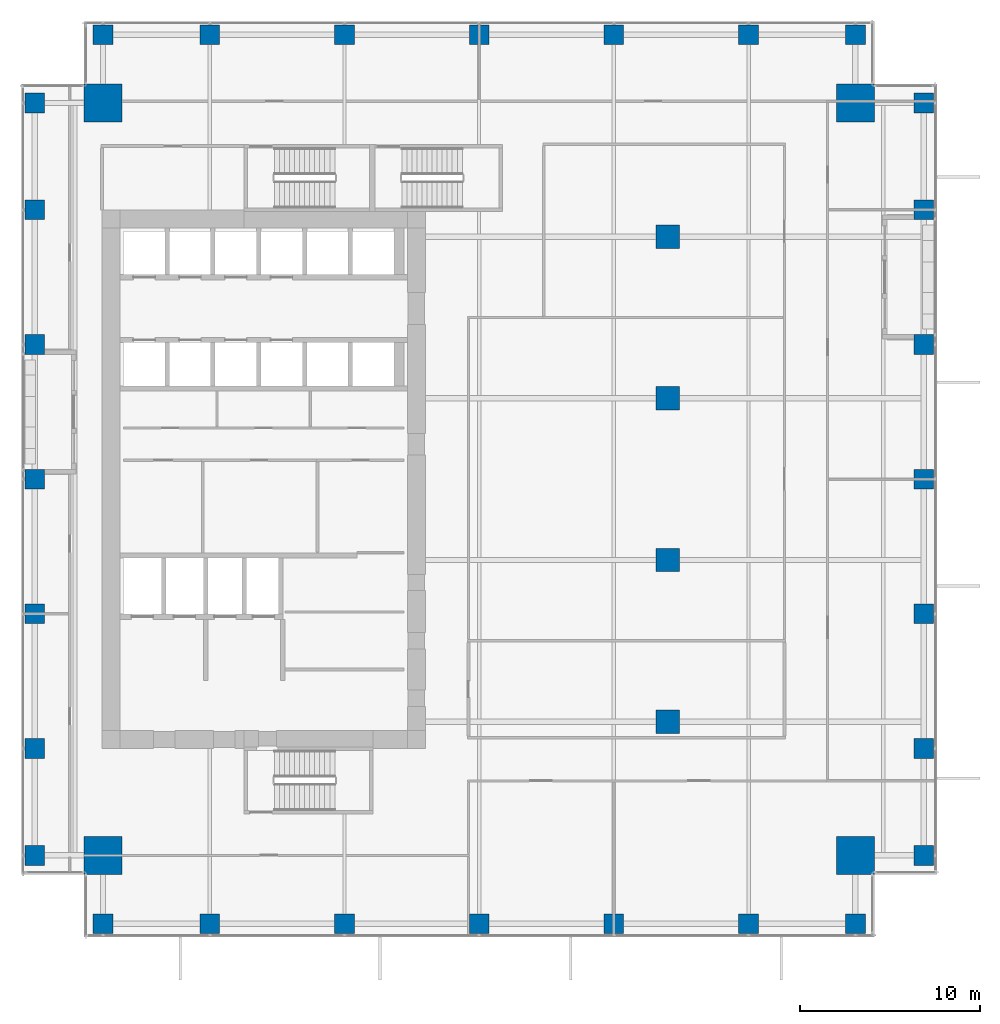
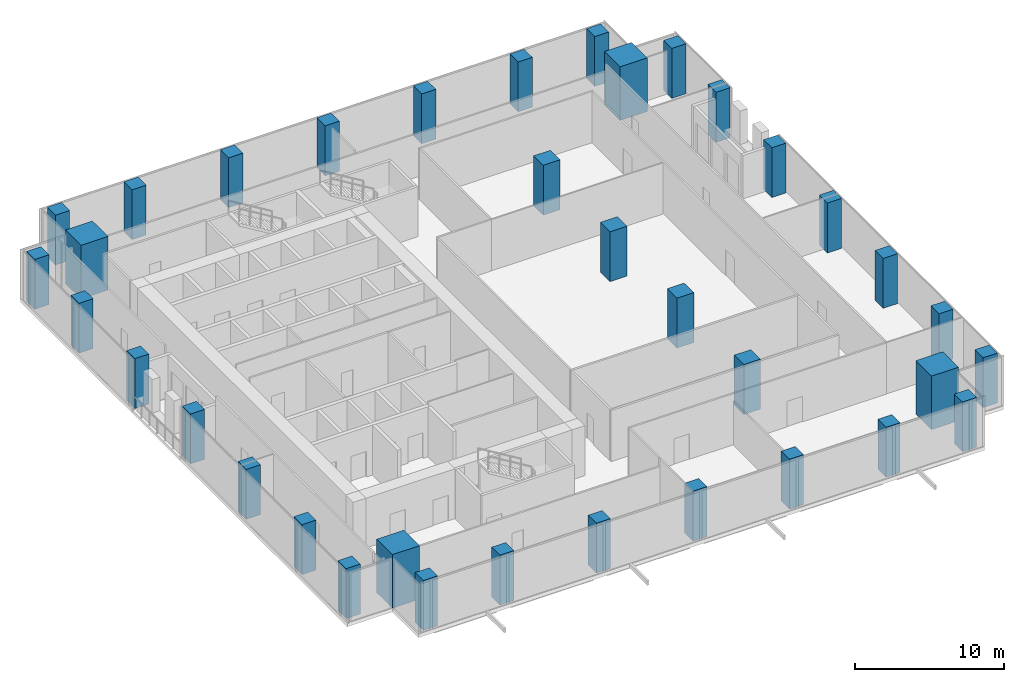
# One storey, part 1 of 35: 36 columns.
"""IFC4 building model written with IfcOpenShell, lengths in metres."""

from ifc_helpers import new_model, si_unit, direction, frame, origin, origin_2d, place, context, subcontext, project, spatial, rectangle, extrude, source, transform, mapped, material, material_profile, profile_set, type_object, element, save


model = new_model("IFC4")

# Units and contexts
model_context = context("Model", 3, precision=1e-05, world=origin(), true_north=direction((0.0, 1.0)))
body_context = subcontext(model_context, "Body", "Model", "MODEL_VIEW")
ifc_project = project(units=[si_unit("LENGTHUNIT", "METRE"), si_unit("AREAUNIT", "SQUARE_METRE"), si_unit("VOLUMEUNIT", "CUBIC_METRE"), si_unit("PLANEANGLEUNIT", "RADIAN"), si_unit("MASSUNIT", "GRAM", prefix="KILO")], contexts=[model_context])

# Site, building, storey
site_placement = place(None, origin())
site = spatial("IfcSite", under=ifc_project, at=site_placement, CompositionType="ELEMENT")
building_placement = place(site_placement, origin())
building = spatial("IfcBuilding", under=site, at=building_placement, Name="Khomas Fold Tower", CompositionType="ELEMENT")
storey_placement = place(building_placement, frame((0.0, 0.0, 132.300048828125)))
storey = spatial("IfcBuildingStorey", under=building, at=storey_placement, Name="L28", CompositionType="ELEMENT", Elevation=132.300048828125)

# Columns
ifc_material_1 = material(Name="Concrete C70/85", Category="concrete")
ifc_material_profile_1 = material_profile(ifc_material_1, rectangle(XDim=2.10009765625, YDim=2.10009765625, at=origin_2d()), Name="RC 2100x2100")
ifc_profile_set_1 = profile_set([ifc_material_profile_1], Name="Concrete C70/85")
column_type_1 = type_object("IfcColumnType", Name="RC 2100x2100 column", PredefinedType="COLUMN", material=ifc_profile_set_1)
shared_shape_1 = source(origin(), body_context, "Body", "SweptSolid", [
    extrude(rectangle(XDim=2.10009765625, YDim=2.10009765625, at=origin_2d()), origin(), (0.0, 0.0, 1.0), 4.39990234375),
])
for number, where, z_axis, x_axis, name in (
    (1, (47.949951171875, 47.949951171875, 0.0), (0.0, 0.0, 1.0), (1.0, 0.0, 0.0), "CM-NE"),
    (2, (6.050048828125, 47.949951171875, 0.0), (0.0, 0.0, 1.0), (1.0, 0.0, 0.0), "CM-NW"),
    (3, (47.949951171875, 6.050048828125, 0.0), (0.0, 0.0, 1.0), (1.0, 0.0, 0.0), "CM-SE"),
    (4, (6.050048828125, 6.050048828125, 0.0), (0.0, 0.0, 1.0), (1.0, 0.0, 0.0), "CM-SW"),
):
    element("IfcColumn", number, at=place(storey_placement, frame(where, z_axis=z_axis, x_axis=x_axis)), inside=storey, type_object=column_type_1, Name=name, PredefinedType="COLUMN", context=body_context, shape_type="MappedRepresentation", body=[
        mapped(shared_shape_1, transform((0.0, 0.0, 0.0))),
    ])
ifc_material_2 = material(Name="Concrete C50/60", Category="concrete")
ifc_material_profile_2 = material_profile(ifc_material_2, rectangle(XDim=1.10009765625, YDim=1.10009765625, at=origin_2d()), Name="RC 1100x1100")
ifc_profile_set_2 = profile_set([ifc_material_profile_2], Name="Concrete C50/60")
column_type_2 = type_object("IfcColumnType", Name="RC 1100x1100 column", PredefinedType="COLUMN", material=ifc_profile_set_2)
shared_shape_2 = source(origin(), body_context, "Body", "SweptSolid", [
    extrude(rectangle(XDim=1.10009765625, YDim=1.10009765625, at=origin_2d()), origin(), (0.0, 0.0, 1.0), 4.099853515625),
])
for number, where, z_axis, x_axis, name in (
    (5, (6.050048828125, 2.25, 0.0), (0.0, 0.0, 1.0), (1.0, 0.0, 0.0), "C-3-SF2"),
    (6, (12.0, 2.25, 0.0), (0.0, 0.0, 1.0), (1.0, 0.0, 0.0), "C-6-SF2"),
    (7, (19.5, 2.25, 0.0), (0.0, 0.0, 1.0), (1.0, 0.0, 0.0), "C-8-SF2"),
    (8, (27.0, 2.25, 0.0), (0.0, 0.0, 1.0), (1.0, 0.0, 0.0), "C-9-SF2"),
    (9, (34.5, 2.25, 0.0), (0.0, 0.0, 1.0), (1.0, 0.0, 0.0), "C-10-SF2"),
    (10, (42.0, 2.25, 0.0), (0.0, 0.0, 1.0), (1.0, 0.0, 0.0), "C-13-SF2"),
    (11, (47.949951171875, 2.25, 0.0), (0.0, 0.0, 1.0), (1.0, 0.0, 0.0), "C-16-SF2"),
    (12, (51.75, 6.050048828125, 0.0), (0.0, 0.0, 1.0), (1.0, 0.0, 0.0), "C-E2-C"),
    (13, (51.75, 12.0, 0.0), (0.0, 0.0, 1.0), (1.0, 0.0, 0.0), "C-E2-F"),
    (14, (51.75, 19.5, 0.0), (0.0, 0.0, 1.0), (1.0, 0.0, 0.0), "C-E2-J"),
    (15, (51.75, 27.0, 0.0), (0.0, 0.0, 1.0), (1.0, 0.0, 0.0), "C-E2-L"),
    (16, (51.75, 34.5, 0.0), (0.0, 0.0, 1.0), (1.0, 0.0, 0.0), "C-E2-N"),
    (17, (51.75, 42.0, 0.0), (0.0, 0.0, 1.0), (1.0, 0.0, 0.0), "C-E2-R"),
    (18, (51.75, 47.949951171875, 0.0), (0.0, 0.0, 1.0), (1.0, 0.0, 0.0), "C-E2-U"),
    (19, (6.050048828125, 51.75, 0.0), (0.0, 0.0, 1.0), (1.0, 0.0, 0.0), "C-3-NF2"),
    (20, (12.0, 51.75, 0.0), (0.0, 0.0, 1.0), (1.0, 0.0, 0.0), "C-6-NF2"),
    (21, (19.5, 51.75, 0.0), (0.0, 0.0, 1.0), (1.0, 0.0, 0.0), "C-8-NF2"),
    (22, (27.0, 51.75, 0.0), (0.0, 0.0, 1.0), (1.0, 0.0, 0.0), "C-9-NF2"),
    (23, (34.5, 51.75, 0.0), (0.0, 0.0, 1.0), (1.0, 0.0, 0.0), "C-10-NF2"),
    (24, (42.0, 51.75, 0.0), (0.0, 0.0, 1.0), (1.0, 0.0, 0.0), "C-13-NF2"),
    (25, (47.949951171875, 51.75, 0.0), (0.0, 0.0, 1.0), (1.0, 0.0, 0.0), "C-16-NF2"),
    (26, (2.25, 6.050048828125, 0.0), (0.0, 0.0, 1.0), (1.0, 0.0, 0.0), "C-W2-C"),
    (27, (2.25, 12.0, 0.0), (0.0, 0.0, 1.0), (1.0, 0.0, 0.0), "C-W2-F"),
    (28, (2.25, 19.5, 0.0), (0.0, 0.0, 1.0), (1.0, 0.0, 0.0), "C-W2-J"),
    (29, (2.25, 27.0, 0.0), (0.0, 0.0, 1.0), (1.0, 0.0, 0.0), "C-W2-L"),
    (30, (2.25, 34.5, 0.0), (0.0, 0.0, 1.0), (1.0, 0.0, 0.0), "C-W2-N"),
    (31, (2.25, 42.0, 0.0), (0.0, 0.0, 1.0), (1.0, 0.0, 0.0), "C-W2-R"),
    (32, (2.25, 47.949951171875, 0.0), (0.0, 0.0, 1.0), (1.0, 0.0, 0.0), "C-W2-U"),
):
    element("IfcColumn", number, at=place(storey_placement, frame(where, z_axis=z_axis, x_axis=x_axis)), inside=storey, type_object=column_type_2, Name=name, PredefinedType="COLUMN", context=body_context, shape_type="MappedRepresentation", body=[
        mapped(shared_shape_2, transform((0.0, 0.0, 0.0))),
    ])
ifc_material_3 = material(Name="Concrete C60/75", Category="concrete")
ifc_material_profile_3 = material_profile(ifc_material_3, rectangle(XDim=1.300048828125, YDim=1.300048828125, at=origin_2d()), Name="RC 1300x1300")
ifc_profile_set_3 = profile_set([ifc_material_profile_3], Name="Concrete C60/75")
column_type_3 = type_object("IfcColumnType", Name="RC 1300x1300 column", PredefinedType="COLUMN", material=ifc_profile_set_3)
shared_shape_3 = source(origin(), body_context, "Body", "SweptSolid", [
    extrude(rectangle(XDim=1.300048828125, YDim=1.300048828125, at=origin_2d()), origin(), (0.0, 0.0, 1.0), 4.099853515625),
])
for number, where, z_axis, x_axis, name in (
    (33, (37.5, 13.5, 0.0), (0.0, 0.0, 1.0), (1.0, 0.0, 0.0), "C-11-H"),
    (34, (37.5, 22.5, 0.0), (0.0, 0.0, 1.0), (1.0, 0.0, 0.0), "C-11-K"),
    (35, (37.5, 31.5, 0.0), (0.0, 0.0, 1.0), (1.0, 0.0, 0.0), "C-11-M"),
    (36, (37.5, 40.5, 0.0), (0.0, 0.0, 1.0), (1.0, 0.0, 0.0), "C-11-P"),
):
    element("IfcColumn", number, at=place(storey_placement, frame(where, z_axis=z_axis, x_axis=x_axis)), inside=storey, type_object=column_type_3, Name=name, PredefinedType="COLUMN", context=body_context, shape_type="MappedRepresentation", body=[
        mapped(shared_shape_3, transform((0.0, 0.0, 0.0))),
    ])

save(model, "model.ifc")
